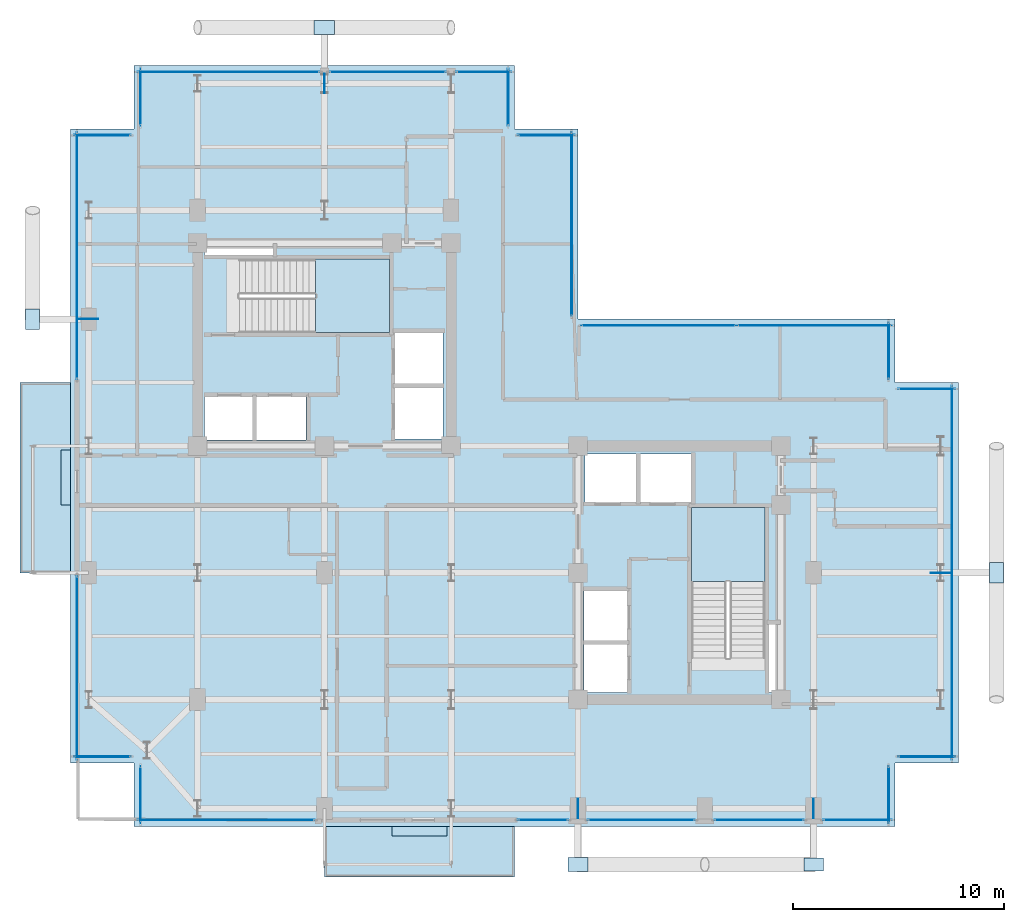
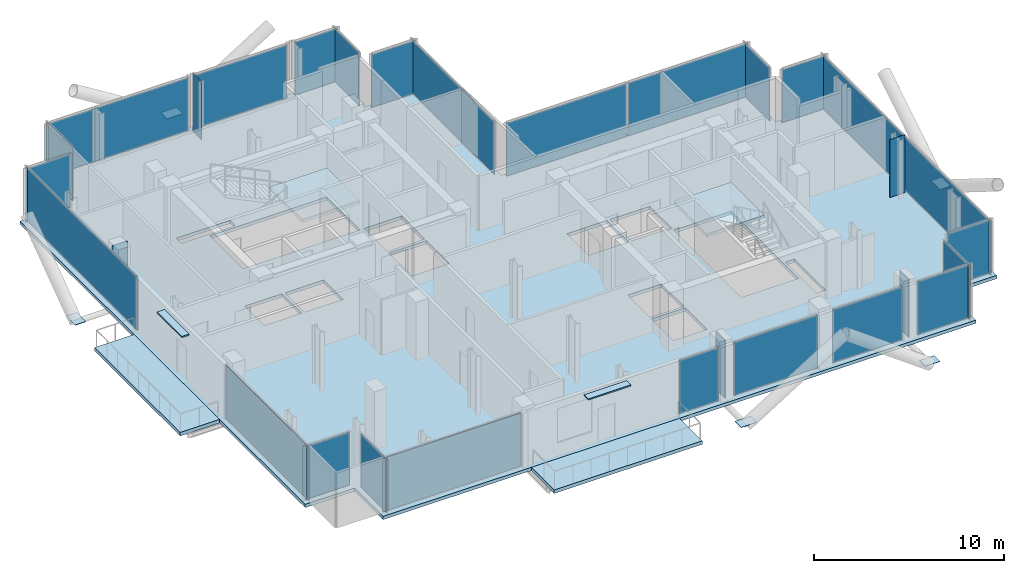
# One storey, part 15 of 21: 36 plates, 5 slabs, 25 elements without a shape of their own.
"""IFC4 building model written with IfcOpenShell, lengths in metres."""

from ifc_helpers import new_model, si_unit, direction, frame, origin, origin_2d, place, context, subcontext, project, spatial, polyline, rectangle, outline, extrude, material, layer, layer_set, type_object, element, aggregate, save


model = new_model("IFC4")

# Units and contexts
model_context = context("Model", 3, precision=1e-05, world=origin(), true_north=direction((0.0, 1.0)))
body_context = subcontext(model_context, "Body", "Model", "MODEL_VIEW")
ifc_project = project(units=[si_unit("LENGTHUNIT", "METRE"), si_unit("AREAUNIT", "SQUARE_METRE"), si_unit("VOLUMEUNIT", "CUBIC_METRE"), si_unit("PLANEANGLEUNIT", "RADIAN"), si_unit("MASSUNIT", "GRAM", prefix="KILO"), si_unit("THERMODYNAMICTEMPERATUREUNIT", "KELVIN"), si_unit("POWERUNIT", "WATT")], contexts=[model_context])

# Site, building, storey
site_placement = place(None, origin())
site = spatial("IfcSite", under=ifc_project, at=site_placement, CompositionType="ELEMENT")
building_placement = place(site_placement, origin())
building = spatial("IfcBuilding", under=site, at=building_placement, Name="Svarakhadi Broadcast Tower", CompositionType="ELEMENT")
storey_placement = place(building_placement, frame((0.0, 0.0, 223.64990234375)))
storey = spatial("IfcBuildingStorey", under=building, at=storey_placement, Name="L55", CompositionType="ELEMENT", Elevation=223.64990234375)

# Curtain wall, plate
ifc_material_1 = material(Name="Anodised Bronze Aluminium AA 6063-T6", Category="aluminium")
ifc_layer_1 = layer(ifc_material_1, 0.18994140625)
ifc_layer_set_1 = layer_set([ifc_layer_1], Name="Anodised Bronze Aluminium AA 6063-T6")
curtain_wall_type = type_object("IfcCurtainWallType", Name="CW_Sys_04", PredefinedType="NOTDEFINED", material=ifc_layer_set_1)
curtain_wall_1_placement = place(storey_placement, origin())
curtain_wall_1 = element("IfcCurtainWall", 1, at=curtain_wall_1_placement, inside=storey, type_object=curtain_wall_type, Name="L55 Unitised Facade Curtain Wall 01", PredefinedType="NOTDEFINED")
ifc_material_2 = material(Name="Double Low-E Laminated Acoustic Glass IGU 36 mm", Category="glass")
ifc_layer_2 = layer(ifc_material_2, 0.033935546875)
ifc_layer_set_2 = layer_set([ifc_layer_2], Name="Double Low-E Laminated Acoustic Glass IGU 36 mm")
plate_type_1 = type_object("IfcPlateType", Name="CW_Sys_04_Pnl", PredefinedType="CURTAIN_PANEL", material=ifc_layer_set_2)
plate_1_placement = place(storey_placement, frame((1.5, 3.300048828125, 0.06494140625), z_axis=(0.0, 0.0, 1.0), x_axis=(-1.0, 0.0, 0.0)))
plate_1 = element("IfcPlate", 2, at=plate_1_placement, type_object=plate_type_1, Name="CW-04 panel 1.1", PredefinedType="CURTAIN_PANEL", context=body_context, shape_type="SweptSolid", body=[
    extrude(rectangle(XDim=2.679931640625, YDim=0.033935546875, at=origin_2d()), origin(), (0.0, 0.0, 1.0), 3.409912109375),
])
aggregate(curtain_wall_1, [plate_1])

curtain_wall_2_placement = place(storey_placement, origin())
curtain_wall_2 = element("IfcCurtainWall", 3, at=curtain_wall_2_placement, inside=storey, type_object=curtain_wall_type, Name="L55 West Curtain Wall 02", PredefinedType="NOTDEFINED")
plate_2_placement = place(storey_placement, frame((0.300048828125, 7.5, 0.06494140625), z_axis=(0.0, 0.0, 1.0), x_axis=(0.0, 1.0, 0.0)))
plate_2 = element("IfcPlate", 4, at=plate_2_placement, type_object=plate_type_1, Name="CW-04 panel 1.1", PredefinedType="CURTAIN_PANEL", context=body_context, shape_type="SweptSolid", body=[
    extrude(rectangle(XDim=8.679931640625, YDim=0.033935546875, at=origin_2d()), origin(), (0.0, 0.0, 1.0), 3.409912109375),
])
aggregate(curtain_wall_2, [plate_2])

curtain_wall_3_placement = place(storey_placement, origin())
curtain_wall_3 = element("IfcCurtainWall", 5, at=curtain_wall_3_placement, inside=storey, type_object=curtain_wall_type, Name="L55 West Curtain Wall 03", PredefinedType="NOTDEFINED")
plate_3_placement = place(storey_placement, frame((0.300048828125, 27.0, 0.06494140625), z_axis=(0.0, 0.0, 1.0), x_axis=(0.0, 1.0, 0.0)))
plate_3 = element("IfcPlate", 6, at=plate_3_placement, type_object=plate_type_1, Name="CW-04 panel 1.1", PredefinedType="CURTAIN_PANEL", context=body_context, shape_type="SweptSolid", body=[
    extrude(rectangle(XDim=11.679931640625, YDim=0.033935546875, at=origin_2d()), origin(), (0.0, 0.0, 1.0), 3.409912109375),
])
aggregate(curtain_wall_3, [plate_3])

curtain_wall_4_placement = place(storey_placement, origin())
curtain_wall_4 = element("IfcCurtainWall", 7, at=curtain_wall_4_placement, inside=storey, type_object=curtain_wall_type, Name="L55 Unitised Facade Curtain Wall 04", PredefinedType="NOTDEFINED")
plate_4_placement = place(storey_placement, frame((1.5, 32.699951171875, 0.06494140625), z_axis=(0.0, 0.0, 1.0), x_axis=(1.0, 0.0, 0.0)))
plate_4 = element("IfcPlate", 8, at=plate_4_placement, type_object=plate_type_1, Name="CW-04 panel 1.1", PredefinedType="CURTAIN_PANEL", context=body_context, shape_type="SweptSolid", body=[
    extrude(rectangle(XDim=2.679931640625, YDim=0.033935546875, at=origin_2d()), origin(), (0.0, 0.0, 1.0), 3.409912109375),
])
aggregate(curtain_wall_4, [plate_4])

curtain_wall_5_placement = place(storey_placement, origin())
curtain_wall_5 = element("IfcCurtainWall", 9, at=curtain_wall_5_placement, inside=storey, type_object=curtain_wall_type, Name="L55 Unitised Facade Curtain Wall 05", PredefinedType="NOTDEFINED")
plate_5_placement = place(storey_placement, frame((3.300048828125, 34.5, 0.06494140625), z_axis=(0.0, 0.0, 1.0), x_axis=(0.0, 1.0, 0.0)))
plate_5 = element("IfcPlate", 10, at=plate_5_placement, type_object=plate_type_1, Name="CW-04 panel 1.1", PredefinedType="CURTAIN_PANEL", context=body_context, shape_type="SweptSolid", body=[
    extrude(rectangle(XDim=2.679931640625, YDim=0.033935546875, at=origin_2d()), origin(), (0.0, 0.0, 1.0), 3.409912109375),
])
aggregate(curtain_wall_5, [plate_5])

curtain_wall_6_placement = place(storey_placement, origin())
curtain_wall_6 = element("IfcCurtainWall", 11, at=curtain_wall_6_placement, inside=storey, type_object=curtain_wall_type, Name="L55 Unitised Facade Curtain Wall 06 Bay 1", PredefinedType="NOTDEFINED")
plate_6_placement = place(storey_placement, frame((7.4599609375, 35.699951171875, 0.06494140625), z_axis=(0.0, 0.0, 1.0), x_axis=(1.0, 0.0, 0.0)))
plate_6 = element("IfcPlate", 12, at=plate_6_placement, type_object=plate_type_1, Name="CW-04 panel 1.1", PredefinedType="CURTAIN_PANEL", context=body_context, shape_type="SweptSolid", body=[
    extrude(rectangle(XDim=8.60009765625, YDim=0.033935546875, at=origin_2d()), origin(), (0.0, 0.0, 1.0), 3.409912109375),
])
aggregate(curtain_wall_6, [plate_6])

curtain_wall_7_placement = place(storey_placement, origin())
curtain_wall_7 = element("IfcCurtainWall", 13, at=curtain_wall_7_placement, inside=storey, type_object=curtain_wall_type, Name="L55 Unitised Facade Curtain Wall 06 Bay 2", PredefinedType="NOTDEFINED")
plate_7_placement = place(storey_placement, frame((15.0, 35.699951171875, 0.06494140625), z_axis=(0.0, 0.0, 1.0), x_axis=(1.0, 0.0, 0.0)))
plate_7 = element("IfcPlate", 14, at=plate_7_placement, type_object=plate_type_1, Name="CW-04 panel 1.1", PredefinedType="CURTAIN_PANEL", context=body_context, shape_type="SweptSolid", body=[
    extrude(rectangle(XDim=5.52001953125, YDim=0.033935546875, at=origin_2d()), origin(), (0.0, 0.0, 1.0), 3.409912109375),
])
aggregate(curtain_wall_7, [plate_7])

curtain_wall_8_placement = place(storey_placement, origin())
curtain_wall_8 = element("IfcCurtainWall", 15, at=curtain_wall_8_placement, inside=storey, type_object=curtain_wall_type, Name="L55 Unitised Facade Curtain Wall 06 Bay 3", PredefinedType="NOTDEFINED")
plate_8_placement = place(storey_placement, frame((19.5400390625, 35.699951171875, 0.06494140625), z_axis=(0.0, 0.0, 1.0), x_axis=(1.0, 0.0, 0.0)))
plate_8 = element("IfcPlate", 16, at=plate_8_placement, type_object=plate_type_1, Name="CW-04 panel 1.1", PredefinedType="CURTAIN_PANEL", context=body_context, shape_type="SweptSolid", body=[
    extrude(rectangle(XDim=2.60009765625, YDim=0.033935546875, at=origin_2d()), origin(), (0.0, 0.0, 1.0), 3.409912109375),
])
aggregate(curtain_wall_8, [plate_8])

curtain_wall_9_placement = place(storey_placement, origin())
curtain_wall_9 = element("IfcCurtainWall", 17, at=curtain_wall_9_placement, inside=storey, type_object=curtain_wall_type, Name="L55 Unitised Facade Curtain Wall 07", PredefinedType="NOTDEFINED")
plate_9_placement = place(storey_placement, frame((20.699951171875, 34.5, 0.06494140625), z_axis=(0.0, 0.0, 1.0), x_axis=(0.0, -1.0, 0.0)))
plate_9 = element("IfcPlate", 18, at=plate_9_placement, type_object=plate_type_1, Name="CW-04 panel 1.1", PredefinedType="CURTAIN_PANEL", context=body_context, shape_type="SweptSolid", body=[
    extrude(rectangle(XDim=2.679931640625, YDim=0.033935546875, at=origin_2d()), origin(), (0.0, 0.0, 1.0), 3.409912109375),
])
aggregate(curtain_wall_9, [plate_9])

curtain_wall_10_placement = place(storey_placement, origin())
curtain_wall_10 = element("IfcCurtainWall", 19, at=curtain_wall_10_placement, inside=storey, type_object=curtain_wall_type, Name="L55 Unitised Facade Curtain Wall 08", PredefinedType="NOTDEFINED")
plate_10_placement = place(storey_placement, frame((22.5, 32.699951171875, 0.06494140625), z_axis=(0.0, 0.0, 1.0), x_axis=(1.0, 0.0, 0.0)))
plate_10 = element("IfcPlate", 20, at=plate_10_placement, type_object=plate_type_1, Name="CW-04 panel 1.1", PredefinedType="CURTAIN_PANEL", context=body_context, shape_type="SweptSolid", body=[
    extrude(rectangle(XDim=2.679931640625, YDim=0.033935546875, at=origin_2d()), origin(), (0.0, 0.0, 1.0), 3.409912109375),
])
aggregate(curtain_wall_10, [plate_10])

curtain_wall_11_placement = place(storey_placement, origin())
curtain_wall_11 = element("IfcCurtainWall", 21, at=curtain_wall_11_placement, inside=storey, type_object=curtain_wall_type, Name="L55 Unitised Facade Curtain Wall 09", PredefinedType="NOTDEFINED")
plate_11_placement = place(storey_placement, frame((23.699951171875, 28.5, 0.06494140625), z_axis=(0.0, 0.0, 1.0), x_axis=(0.0, -1.0, 0.0)))
plate_11 = element("IfcPlate", 22, at=plate_11_placement, type_object=plate_type_1, Name="CW-04 panel 1.1", PredefinedType="CURTAIN_PANEL", context=body_context, shape_type="SweptSolid", body=[
    extrude(rectangle(XDim=8.679931640625, YDim=0.033935546875, at=origin_2d()), origin(), (0.0, 0.0, 1.0), 3.409912109375),
])
aggregate(curtain_wall_11, [plate_11])

# Curtain wall, plates
curtain_wall_12_placement = place(storey_placement, origin())
curtain_wall_12 = element("IfcCurtainWall", 23, at=curtain_wall_12_placement, inside=storey, type_object=curtain_wall_type, Name="L55 Unitised Facade Curtain Wall 10", PredefinedType="NOTDEFINED")
plate_12_placement = place(storey_placement, frame((27.8125, 23.699951171875, 0.06494140625), z_axis=(0.0, 0.0, 1.0), x_axis=(1.0, 0.0, 0.0)))
plate_12 = element("IfcPlate", 24, at=plate_12_placement, type_object=plate_type_1, Name="CW-04 panel 1.1", PredefinedType="CURTAIN_PANEL", context=body_context, shape_type="SweptSolid", body=[
    extrude(rectangle(XDim=7.304931640625, YDim=0.033935546875, at=origin_2d()), origin(), (0.0, 0.0, 1.0), 3.409912109375),
])
plate_13_placement = place(storey_placement, frame((35.1875, 23.699951171875, 0.06494140625), z_axis=(0.0, 0.0, 1.0), x_axis=(1.0, 0.0, 0.0)))
plate_13 = element("IfcPlate", 25, at=plate_13_placement, type_object=plate_type_1, Name="CW-04 panel 2.1", PredefinedType="CURTAIN_PANEL", context=body_context, shape_type="SweptSolid", body=[
    extrude(rectangle(XDim=7.304931640625, YDim=0.033935546875, at=origin_2d()), origin(), (0.0, 0.0, 1.0), 3.409912109375),
])
aggregate(curtain_wall_12, [plate_12, plate_13])

# Curtain wall, plate
curtain_wall_13_placement = place(storey_placement, origin())
curtain_wall_13 = element("IfcCurtainWall", 26, at=curtain_wall_13_placement, inside=storey, type_object=curtain_wall_type, Name="L55 Unitised Facade Curtain Wall 11", PredefinedType="NOTDEFINED")
plate_14_placement = place(storey_placement, frame((38.699951171875, 22.5, 0.06494140625), z_axis=(0.0, 0.0, 1.0), x_axis=(0.0, -1.0, 0.0)))
plate_14 = element("IfcPlate", 27, at=plate_14_placement, type_object=plate_type_1, Name="CW-04 panel 1.1", PredefinedType="CURTAIN_PANEL", context=body_context, shape_type="SweptSolid", body=[
    extrude(rectangle(XDim=2.679931640625, YDim=0.033935546875, at=origin_2d()), origin(), (0.0, 0.0, 1.0), 3.409912109375),
])
aggregate(curtain_wall_13, [plate_14])

curtain_wall_14_placement = place(storey_placement, origin())
curtain_wall_14 = element("IfcCurtainWall", 28, at=curtain_wall_14_placement, inside=storey, type_object=curtain_wall_type, Name="L55 Unitised Facade Curtain Wall 12", PredefinedType="NOTDEFINED")
plate_15_placement = place(storey_placement, frame((40.5, 20.699951171875, 0.06494140625), z_axis=(0.0, 0.0, 1.0), x_axis=(1.0, 0.0, 0.0)))
plate_15 = element("IfcPlate", 29, at=plate_15_placement, type_object=plate_type_1, Name="CW-04 panel 1.1", PredefinedType="CURTAIN_PANEL", context=body_context, shape_type="SweptSolid", body=[
    extrude(rectangle(XDim=2.679931640625, YDim=0.033935546875, at=origin_2d()), origin(), (0.0, 0.0, 1.0), 3.409912109375),
])
aggregate(curtain_wall_14, [plate_15])

curtain_wall_15_placement = place(storey_placement, origin())
curtain_wall_15 = element("IfcCurtainWall", 30, at=curtain_wall_15_placement, inside=storey, type_object=curtain_wall_type, Name="L55 Unitised Facade Curtain Wall 13", PredefinedType="NOTDEFINED")
plate_16_placement = place(storey_placement, frame((41.699951171875, 12.0, 0.06494140625), z_axis=(0.0, 0.0, 1.0), x_axis=(0.0, -1.0, 0.0)))
plate_16 = element("IfcPlate", 31, at=plate_16_placement, type_object=plate_type_1, Name="CW-04 panel 1.1", PredefinedType="CURTAIN_PANEL", context=body_context, shape_type="SweptSolid", body=[
    extrude(rectangle(XDim=17.679931640625, YDim=0.033935546875, at=origin_2d()), origin(), (0.0, 0.0, 1.0), 3.409912109375),
])
aggregate(curtain_wall_15, [plate_16])

curtain_wall_16_placement = place(storey_placement, origin())
curtain_wall_16 = element("IfcCurtainWall", 32, at=curtain_wall_16_placement, inside=storey, type_object=curtain_wall_type, Name="L55 Unitised Facade Curtain Wall 14", PredefinedType="NOTDEFINED")
plate_17_placement = place(storey_placement, frame((40.5, 3.300048828125, 0.06494140625), z_axis=(0.0, 0.0, 1.0), x_axis=(-1.0, 0.0, 0.0)))
plate_17 = element("IfcPlate", 33, at=plate_17_placement, type_object=plate_type_1, Name="CW-04 panel 1.1", PredefinedType="CURTAIN_PANEL", context=body_context, shape_type="SweptSolid", body=[
    extrude(rectangle(XDim=2.679931640625, YDim=0.033935546875, at=origin_2d()), origin(), (0.0, 0.0, 1.0), 3.409912109375),
])
aggregate(curtain_wall_16, [plate_17])

curtain_wall_17_placement = place(storey_placement, origin())
curtain_wall_17 = element("IfcCurtainWall", 34, at=curtain_wall_17_placement, inside=storey, type_object=curtain_wall_type, Name="L55 Unitised Facade Curtain Wall 15", PredefinedType="NOTDEFINED")
plate_18_placement = place(storey_placement, frame((38.699951171875, 1.5, 0.06494140625), z_axis=(0.0, 0.0, 1.0), x_axis=(0.0, -1.0, 0.0)))
plate_18 = element("IfcPlate", 35, at=plate_18_placement, type_object=plate_type_1, Name="CW-04 panel 1.1", PredefinedType="CURTAIN_PANEL", context=body_context, shape_type="SweptSolid", body=[
    extrude(rectangle(XDim=2.679931640625, YDim=0.033935546875, at=origin_2d()), origin(), (0.0, 0.0, 1.0), 3.409912109375),
])
aggregate(curtain_wall_17, [plate_18])

curtain_wall_18_placement = place(storey_placement, origin())
curtain_wall_18 = element("IfcCurtainWall", 36, at=curtain_wall_18_placement, inside=storey, type_object=curtain_wall_type, Name="L55 South Curtain Wall 16 Bay 1", PredefinedType="NOTDEFINED")
plate_19_placement = place(storey_placement, frame((37.2275390625, 0.300048828125, 0.06494140625), z_axis=(0.0, 0.0, 1.0), x_axis=(-1.0, 0.0, 0.0)))
plate_19 = element("IfcPlate", 37, at=plate_19_placement, type_object=plate_type_1, Name="CW-04 panel 1.1", PredefinedType="CURTAIN_PANEL", context=body_context, shape_type="SweptSolid", body=[
    extrude(rectangle(XDim=3.22509765625, YDim=0.033935546875, at=origin_2d()), origin(), (0.0, 0.0, 1.0), 3.409912109375),
])
aggregate(curtain_wall_18, [plate_19])

curtain_wall_19_placement = place(storey_placement, origin())
curtain_wall_19 = element("IfcCurtainWall", 38, at=curtain_wall_19_placement, inside=storey, type_object=curtain_wall_type, Name="L55 South Curtain Wall 16 Bay 2", PredefinedType="NOTDEFINED")
plate_20_placement = place(storey_placement, frame((32.574951171875, 0.300048828125, 0.06494140625), z_axis=(0.0, 0.0, 1.0), x_axis=(-1.0, 0.0, 0.0)))
plate_20 = element("IfcPlate", 39, at=plate_20_placement, type_object=plate_type_1, Name="CW-04 panel 1.1", PredefinedType="CURTAIN_PANEL", context=body_context, shape_type="SweptSolid", body=[
    extrude(rectangle(XDim=4.219970703125, YDim=0.033935546875, at=origin_2d()), origin(), (0.0, 0.0, 1.0), 3.409912109375),
])
aggregate(curtain_wall_19, [plate_20])

curtain_wall_20_placement = place(storey_placement, origin())
curtain_wall_20 = element("IfcCurtainWall", 40, at=curtain_wall_20_placement, inside=storey, type_object=curtain_wall_type, Name="L55 South Curtain Wall 16 Bay 3", PredefinedType="NOTDEFINED")
plate_21_placement = place(storey_placement, frame((27.0, 0.300048828125, 0.06494140625), z_axis=(0.0, 0.0, 1.0), x_axis=(-1.0, 0.0, 0.0)))
plate_21 = element("IfcPlate", 41, at=plate_21_placement, type_object=plate_type_1, Name="CW-04 panel 1.1", PredefinedType="CURTAIN_PANEL", context=body_context, shape_type="SweptSolid", body=[
    extrude(rectangle(XDim=5.070068359375, YDim=0.033935546875, at=origin_2d()), origin(), (0.0, 0.0, 1.0), 3.409912109375),
])
aggregate(curtain_wall_20, [plate_21])

curtain_wall_21_placement = place(storey_placement, origin())
curtain_wall_21 = element("IfcCurtainWall", 42, at=curtain_wall_21_placement, inside=storey, type_object=curtain_wall_type, Name="L55 South Curtain Wall 16 Bay 4", PredefinedType="NOTDEFINED")
plate_22_placement = place(storey_placement, frame((22.347412109375, 0.300048828125, 0.06494140625), z_axis=(0.0, 0.0, 1.0), x_axis=(-1.0, 0.0, 0.0)))
plate_22 = element("IfcPlate", 43, at=plate_22_placement, type_object=plate_type_1, Name="CW-04 panel 1.1", PredefinedType="CURTAIN_PANEL", context=body_context, shape_type="SweptSolid", body=[
    extrude(rectangle(XDim=2.375, YDim=0.033935546875, at=origin_2d()), origin(), (0.0, 0.0, 1.0), 3.409912109375),
])
aggregate(curtain_wall_21, [plate_22])

curtain_wall_22_placement = place(storey_placement, origin())
curtain_wall_22 = element("IfcCurtainWall", 44, at=curtain_wall_22_placement, inside=storey, type_object=curtain_wall_type, Name="L55 South Curtain Wall 17", PredefinedType="NOTDEFINED")
plate_23_placement = place(storey_placement, frame((7.347412109375, 0.300048828125, 0.06494140625), z_axis=(0.0, 0.0, 1.0), x_axis=(-1.0, 0.0, 0.0)))
plate_23 = element("IfcPlate", 45, at=plate_23_placement, type_object=plate_type_1, Name="CW-04 panel 1.1", PredefinedType="CURTAIN_PANEL", context=body_context, shape_type="SweptSolid", body=[
    extrude(rectangle(XDim=8.375, YDim=0.033935546875, at=origin_2d()), origin(), (0.0, 0.0, 1.0), 3.409912109375),
])
aggregate(curtain_wall_22, [plate_23])

curtain_wall_23_placement = place(storey_placement, origin())
curtain_wall_23 = element("IfcCurtainWall", 46, at=curtain_wall_23_placement, inside=storey, type_object=curtain_wall_type, Name="L55 Unitised Facade Curtain Wall 18", PredefinedType="NOTDEFINED")
plate_24_placement = place(storey_placement, frame((3.300048828125, 1.5, 0.06494140625), z_axis=(0.0, 0.0, 1.0), x_axis=(0.0, 1.0, 0.0)))
plate_24 = element("IfcPlate", 47, at=plate_24_placement, type_object=plate_type_1, Name="CW-04 panel 1.1", PredefinedType="CURTAIN_PANEL", context=body_context, shape_type="SweptSolid", body=[
    extrude(rectangle(XDim=2.679931640625, YDim=0.033935546875, at=origin_2d()), origin(), (0.0, 0.0, 1.0), 3.409912109375),
])
aggregate(curtain_wall_23, [plate_24])

# Plates
ifc_material_3 = material(Name="Steel S460ML (IS 2062 E450BR)", Category="steel")
ifc_layer_3 = layer(ifc_material_3, 0.028076171875)
ifc_layer_set_3 = layer_set([ifc_layer_3], Name="Steel S460ML (IS 2062 E450BR)")
plate_type_2 = type_object("IfcPlateType", Name="Node_Gusset_N03", PredefinedType="SHEET", material=ifc_layer_set_3)
for number, where, z_axis, x_axis, name in (
    (48, (24.0, -1.800048828125, -0.2099609375), (0.0, 0.0, 1.0), (1.0, 0.0, 0.0), "L55 Exoskeleton Gusset Node Plate S01"),
    (49, (-1.800048828125, 24.0, -0.2099609375), (0.0, 0.0, 1.0), (0.0, 1.0, 0.0), "L55 Exoskeleton Gusset Node Plate W03"),
    (50, (43.800048828125, 12.0, -0.2099609375), (0.0, 0.0, 1.0), (0.0, 1.0, 0.0), "L55 Exoskeleton Gusset Node Plate E04"),
    (51, (12.0, 37.800048828125, -0.2099609375), (0.0, 0.0, 1.0), (1.0, 0.0, 0.0), "L55 Exoskeleton Gusset Node Plate N05"),
):
    element("IfcPlate", number, at=place(storey_placement, frame(where, z_axis=z_axis, x_axis=x_axis)), inside=storey, type_object=plate_type_2, Name=name, PredefinedType="SHEET", context=body_context, shape_type="SweptSolid", body=[
        extrude(rectangle(XDim=0.9599609375, YDim=0.659912109375, at=origin_2d()), origin(), (0.0, 0.0, 1.0), 0.028076171875),
    ])
ifc_layer_4 = layer(ifc_material_3, 0.02587890625)
ifc_layer_set_4 = layer_set([ifc_layer_4], Name="Steel S460ML (IS 2062 E450BR)")
plate_type_3 = type_object("IfcPlateType", Name="Node_Gusset_N07", PredefinedType="SHEET", material=ifc_layer_set_4)
plate_25_placement = place(storey_placement, frame((35.14990234375, -1.800048828125, -0.2099609375), z_axis=(0.0, 0.0, 1.0), x_axis=(1.0, 0.0, 0.0)))
element("IfcPlate", 52, at=plate_25_placement, inside=storey, type_object=plate_type_3, Name="L55 Exoskeleton Gusset Node Plate S02", PredefinedType="SHEET", context=body_context, shape_type="SweptSolid", body=[
    extrude(rectangle(XDim=0.919921875, YDim=0.6201171875, at=origin_2d()), origin(), (0.0, 0.0, 1.0), 0.02587890625),
])
for number, where, z_axis, x_axis, name in (
    (53, (24.0, 0.85009765625, -0.57177734375), (0.0, 0.0, 1.0), (0.0, 1.0, 0.0), "L55 Brace End Connection Gusset Plate N-07-E0449"),
    (54, (35.14990234375, 0.85009765625, -0.57177734375), (0.0, 0.0, 1.0), (0.0, 1.0, 0.0), "L55 Brace End Connection Gusset Plate N-07-E0450"),
    (55, (0.85009765625, 24.0, -0.57177734375), (0.0, 0.0, 1.0), (1.0, 0.0, 0.0), "L55 Brace End Connection Gusset Plate N-07-E0451"),
    (56, (41.14990234375, 12.0, -0.57177734375), (0.0, 0.0, 1.0), (1.0, 0.0, 0.0), "L55 Brace End Connection Gusset Plate N-07-E0452"),
    (57, (12.0, 35.14990234375, -0.57177734375), (0.0, 0.0, 1.0), (0.0, 1.0, 0.0), "L55 Brace End Connection Gusset Plate N-07-E0453"),
):
    element("IfcPlate", number, at=place(storey_placement, frame(where, z_axis=z_axis, x_axis=x_axis)), inside=storey, type_object=plate_type_3, Name=name, PredefinedType="SHEET", context=body_context, shape_type="SweptSolid", body=[
        extrude(rectangle(XDim=0.919921875, YDim=0.02587890625, at=origin_2d()), origin(), (0.0, 0.0, 1.0), 4.300048828125),
    ])

# Slab
ifc_material_4 = material(Name="Concrete C40/50 (IS 456 M50)", Category="concrete")
ifc_layer_5 = layer(ifc_material_4, 0.2099609375)
ifc_layer_set_5 = layer_set([ifc_layer_5], Name="Concrete C40/50 (IS 456 M50)")
slab_type_1 = type_object("IfcSlabType", Name="Slab_Floor_210", PredefinedType="FLOOR", material=ifc_layer_set_5)
slab_1_placement = place(storey_placement, frame((0.0, 0.0, -0.2099609375)))
element("IfcSlab", 58, at=slab_1_placement, inside=storey, type_object=slab_type_1, Name="L55 Structural Floor Slab", PredefinedType="FLOOR", context=body_context, shape_type="SweptSolid", body=[
    extrude(outline(polyline([(3.0, 0.0), (39.0, 0.0), (39.0, 3.0), (42.0, 3.0), (42.0, 21.0), (39.0, 21.0), (39.0, 24.0), (24.0, 24.0), (24.0, 33.0), (21.0, 33.0), (21.0, 36.0), (3.0, 36.0), (3.0, 33.0), (0.0, 33.0), (0.0, 3.0), (3.0, 3.0), (3.0, 0.0)]), holes=[polyline([(7.97998046875, 23.360107421875), (15.080078125, 23.360107421875), (15.080078125, 26.840087890625), (7.97998046875, 26.840087890625), (7.97998046875, 23.360107421875)]), polyline([(32.840087890625, 7.97998046875), (32.840087890625, 15.080078125), (29.360107421875, 15.080078125), (29.360107421875, 7.97998046875), (32.840087890625, 7.97998046875)]), polyline([(6.340087890625, 18.2900390625), (8.610107421875, 18.2900390625), (8.610107421875, 20.330078125), (6.340087890625, 20.330078125), (6.340087890625, 18.2900390625)]), polyline([(8.7900390625, 18.2900390625), (11.1298828125, 18.2900390625), (11.1298828125, 20.330078125), (8.7900390625, 20.330078125), (8.7900390625, 18.2900390625)]), polyline([(24.2900390625, 6.340087890625), (26.330078125, 6.340087890625), (26.330078125, 8.610107421875), (24.2900390625, 8.610107421875), (24.2900390625, 6.340087890625)]), polyline([(24.2900390625, 8.7900390625), (26.330078125, 8.7900390625), (26.330078125, 11.1298828125), (24.2900390625, 11.1298828125), (24.2900390625, 8.7900390625)]), polyline([(6.340087890625, 26.989990234375), (9.610107421875, 26.989990234375), (9.610107421875, 27.530029296875), (6.340087890625, 27.530029296875), (6.340087890625, 26.989990234375)]), polyline([(32.989990234375, 6.340087890625), (33.530029296875, 6.340087890625), (33.530029296875, 9.610107421875), (32.989990234375, 9.610107421875), (32.989990234375, 6.340087890625)]), polyline([(15.340087890625, 18.340087890625), (17.610107421875, 18.340087890625), (17.610107421875, 20.760009765625), (15.340087890625, 20.760009765625), (15.340087890625, 18.340087890625)]), polyline([(15.340087890625, 20.93994140625), (17.610107421875, 20.93994140625), (17.610107421875, 23.360107421875), (15.340087890625, 23.360107421875), (15.340087890625, 20.93994140625)]), polyline([(24.340087890625, 15.340087890625), (26.760009765625, 15.340087890625), (26.760009765625, 17.610107421875), (24.340087890625, 17.610107421875), (24.340087890625, 15.340087890625)]), polyline([(26.93994140625, 15.340087890625), (29.360107421875, 15.340087890625), (29.360107421875, 17.610107421875), (26.93994140625, 17.610107421875), (26.93994140625, 15.340087890625)])]), origin(), (0.0, 0.0, 1.0), 0.2099609375),
])

# Stair, slab
stair_type = type_object("IfcStairType", Name="Stair_Exit_Core", PredefinedType="HALF_TURN_STAIR", material=ifc_material_4)
stair_1_placement = place(storey_placement, origin())
stair_1 = element("IfcStair", 59, at=stair_1_placement, inside=storey, type_object=stair_type, Name="L55 West Core Protected Exit Stair ST-01", PredefinedType="HALF_TURN_STAIR")
ifc_layer_6 = layer(ifc_material_4, 0.199951171875)
ifc_layer_set_6 = layer_set([ifc_layer_6], Name="Concrete C40/50 (IS 456 M50)")
slab_type_2 = type_object("IfcSlabType", Name="Slab_Stair_Land", PredefinedType="LANDING", material=ifc_layer_set_6)
slab_2_placement = place(storey_placement, frame((0.0, 0.0, 1.675048828125)))
slab_2 = element("IfcSlab", 60, at=slab_2_placement, type_object=slab_type_2, Name="ST-01 landing 1", PredefinedType="LANDING", context=body_context, shape_type="SweptSolid", body=[
    extrude(outline(polyline([(11.580078125, 23.360107421875), (15.080078125, 23.360107421875), (15.080078125, 26.840087890625), (11.580078125, 26.840087890625), (11.580078125, 23.360107421875)])), origin(), (0.0, 0.0, 1.0), 0.199951171875),
])
aggregate(stair_1, [slab_2])

stair_2_placement = place(storey_placement, origin())
stair_2 = element("IfcStair", 61, at=stair_2_placement, inside=storey, type_object=stair_type, Name="L55 East Core Protected Exit Stair ST-02", PredefinedType="HALF_TURN_STAIR")
slab_3_placement = place(storey_placement, frame((0.0, 0.0, 1.675048828125)))
slab_3 = element("IfcSlab", 62, at=slab_3_placement, type_object=slab_type_2, Name="ST-02 landing 1", PredefinedType="LANDING", context=body_context, shape_type="SweptSolid", body=[
    extrude(outline(polyline([(32.840087890625, 11.580078125), (32.840087890625, 15.080078125), (29.360107421875, 15.080078125), (29.360107421875, 11.580078125), (32.840087890625, 11.580078125)])), origin(), (0.0, 0.0, 1.0), 0.199951171875),
])
aggregate(stair_2, [slab_3])

# Slabs
ifc_layer_7 = layer(ifc_material_4, 0.22509765625)
ifc_layer_set_7 = layer_set([ifc_layer_7], Name="Concrete C40/50 (IS 456 M50)")
slab_type_3 = type_object("IfcSlabType", Name="Slab_TreeBalcony", PredefinedType="FLOOR", material=ifc_layer_set_7)
slab_4_placement = place(storey_placement, frame((0.0, 0.0, -0.224853515625)))
element("IfcSlab", 63, at=slab_4_placement, inside=storey, type_object=slab_type_3, Name="L55 Planted Tree Balcony Slab BAL-S", PredefinedType="FLOOR", context=body_context, shape_type="SweptSolid", body=[
    extrude(outline(polyline([(12.0, -2.39990234375), (21.0, -2.39990234375), (21.0, 0.0), (12.0, 0.0), (12.0, -2.39990234375)])), origin(), (0.0, 0.0, 1.0), 0.224853515625),
])
slab_5_placement = place(storey_placement, frame((0.0, 0.0, -0.224853515625)))
element("IfcSlab", 64, at=slab_5_placement, inside=storey, type_object=slab_type_3, Name="L55 Planted Tree Balcony Slab BAL-W", PredefinedType="FLOOR", context=body_context, shape_type="SweptSolid", body=[
    extrude(outline(polyline([(-2.39990234375, 12.0), (0.0, 12.0), (0.0, 21.0), (-2.39990234375, 21.0), (-2.39990234375, 12.0)])), origin(), (0.0, 0.0, 1.0), 0.224853515625),
])

# Plates
ifc_layer_8 = layer(ifc_material_1, 0.080078125)
ifc_layer_set_8 = layer_set([ifc_layer_8], Name="Anodised Bronze Aluminium AA 6063-T6")
plate_type_4 = type_object("IfcPlateType", Name="Sunshade_Fin_SS01", PredefinedType="USERDEFINED", material=ifc_layer_set_8)
for number, where, z_axis, x_axis, name in (
    (65, (16.5, -0.22509765625, 3.4599609375), (0.0, 0.0, 1.0), (1.0, 0.0, 0.0), "L55 South Bronze Brise-Soleil Sunshade SS-01"),
    (66, (-0.22509765625, 16.5, 3.4599609375), (0.0, 0.0, 1.0), (0.0, 1.0, 0.0), "L55 West Bronze Brise-Soleil Sunshade SS-01"),
):
    element("IfcPlate", number, at=place(storey_placement, frame(where, z_axis=z_axis, x_axis=x_axis)), inside=storey, type_object=plate_type_4, Name=name, ObjectType="SUNSHADE", PredefinedType="USERDEFINED", context=body_context, shape_type="SweptSolid", body=[
        extrude(rectangle(XDim=2.60009765625, YDim=0.449951171875, at=origin_2d()), origin(), (0.0, 0.0, 1.0), 0.080078125),
    ])

save(model, "model.ifc")
